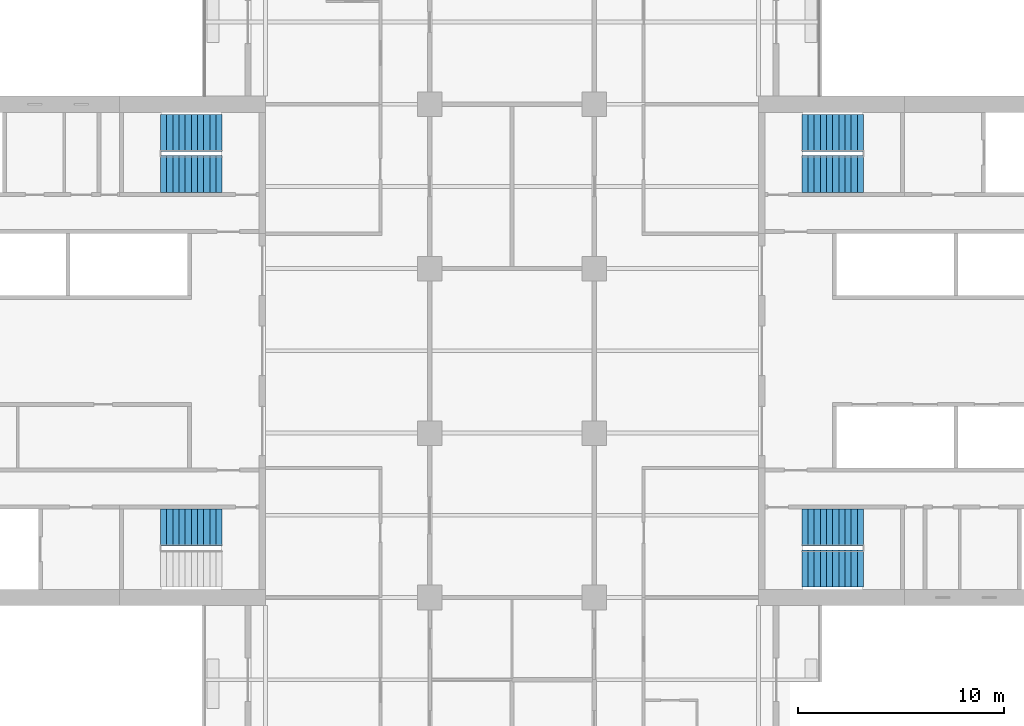
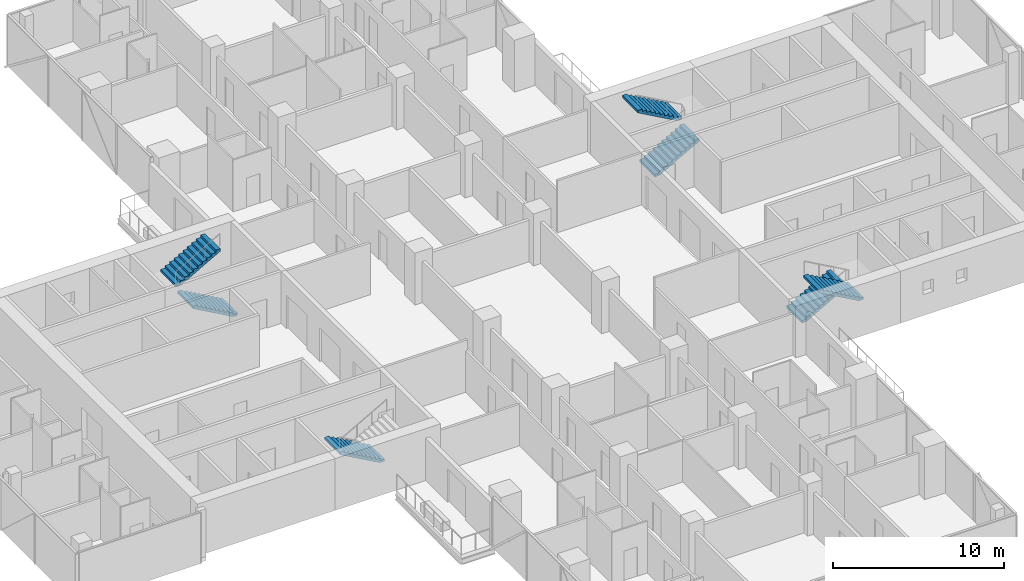
# One storey, part 22 of 27: 7 stair flights, 4 elements without a shape of their own.
"""IFC4 building model written with IfcOpenShell, lengths in metres."""

from ifc_helpers import new_model, si_unit, direction, frame, origin, place, context, subcontext, project, spatial, polyline, outline, extrude, material, type_object, element, aggregate, save


model = new_model("IFC4")

# Units and contexts
model_context = context("Model", 3, precision=1e-05, world=origin(), true_north=direction((0.0, 1.0)))
body_context = subcontext(model_context, "Body", "Model", "MODEL_VIEW")
ifc_project = project(units=[si_unit("LENGTHUNIT", "METRE"), si_unit("AREAUNIT", "SQUARE_METRE"), si_unit("VOLUMEUNIT", "CUBIC_METRE"), si_unit("PLANEANGLEUNIT", "RADIAN"), si_unit("MASSUNIT", "GRAM", prefix="KILO")], contexts=[model_context])

# Site, building, storey
site_placement = place(None, origin())
site = spatial("IfcSite", under=ifc_project, at=site_placement, CompositionType="ELEMENT")
building_placement = place(site_placement, origin())
building = spatial("IfcBuilding", under=site, at=building_placement, Name="Crosswind Convention Tower", CompositionType="ELEMENT")
storey_placement = place(building_placement, frame((0.0, 0.0, 79.39990234375)))
storey = spatial("IfcBuildingStorey", under=building, at=storey_placement, Name="L14", CompositionType="ELEMENT", Elevation=79.39990234375)

# Stair, stair flights
ifc_material = material(Name="Concrete C40/50", Category="concrete")
stair_type = type_object("IfcStairType", Name="Exit stair 1800 wide, 2 flights of 11 risers", PredefinedType="HALF_TURN_STAIR", material=ifc_material)
stair_1_placement = place(storey_placement, origin())
stair_1 = element("IfcStair", 1, at=stair_1_placement, inside=storey, type_object=stair_type, Name="Exit stair ST1 L14", ObjectType="ST5", PredefinedType="HALF_TURN_STAIR")
stair_flight_type = type_object("IfcStairFlightType", Name="Stair flight 1800 wide, 11 risers (SF3)", PredefinedType="STRAIGHT", material=ifc_material)
stair_flight_1_placement = place(storey_placement, frame((139.10009765625, 108.60009765625, 0.0), z_axis=(0.0, 0.0, 1.0), x_axis=(1.0, 0.0, 0.0)))
stair_flight_1 = element("IfcStairFlight", 2, at=stair_flight_1_placement, type_object=stair_flight_type, Name="ST1 flight 1", NumberOfRisers=11, NumberOfTreads=10, PredefinedType="STRAIGHT", RiserHeight=0.168181818, TreadLength=0.3, context=body_context, shape_type="SweptSolid", body=[
    extrude(outline(polyline([(0.0, 0.0), (0.0, 0.168212890625), (0.300048828125, 0.168212890625), (0.300048828125, 0.33642578125), (0.60009765625, 0.33642578125), (0.60009765625, 0.504638671875), (0.89990234375, 0.504638671875), (0.89990234375, 0.672607421875), (1.199951171875, 0.672607421875), (1.199951171875, 0.8408203125), (1.5, 0.8408203125), (1.5, 1.009033203125), (1.800048828125, 1.009033203125), (1.800048828125, 1.17724609375), (2.10009765625, 1.17724609375), (2.10009765625, 1.345458984375), (2.39990234375, 1.345458984375), (2.39990234375, 1.513671875), (2.699951171875, 1.513671875), (2.699951171875, 1.681884765625), (3.0, 1.681884765625), (3.0, 1.85009765625), (3.0, 1.510009765625), (0.306640625, 0.0), (0.0, 0.0)])), frame((0.0, 0.89990234375, 0.0), z_axis=(0.0, -1.0, 0.0), x_axis=(1.0, 0.0, 0.0)), (0.0, 0.0, 1.0), 1.800048828125),
])
stair_flight_2_placement = place(storey_placement, frame((142.10009765625, 110.60009765625, 1.85009765625), z_axis=(0.0, 0.0, 1.0), x_axis=(-1.0, 0.0, 0.0)))
stair_flight_2 = element("IfcStairFlight", 3, at=stair_flight_2_placement, type_object=stair_flight_type, Name="ST1 flight 2", NumberOfRisers=11, NumberOfTreads=10, PredefinedType="STRAIGHT", RiserHeight=0.168181818, TreadLength=0.3, context=body_context, shape_type="SweptSolid", body=[
    extrude(outline(polyline([(0.0, 0.0), (0.0, 0.168212890625), (0.300048828125, 0.168212890625), (0.300048828125, 0.33642578125), (0.60009765625, 0.33642578125), (0.60009765625, 0.504638671875), (0.89990234375, 0.504638671875), (0.89990234375, 0.672607421875), (1.199951171875, 0.672607421875), (1.199951171875, 0.8408203125), (1.5, 0.8408203125), (1.5, 1.009033203125), (1.800048828125, 1.009033203125), (1.800048828125, 1.17724609375), (2.10009765625, 1.17724609375), (2.10009765625, 1.345458984375), (2.39990234375, 1.345458984375), (2.39990234375, 1.513671875), (2.699951171875, 1.513671875), (2.699951171875, 1.681884765625), (3.0, 1.681884765625), (3.0, 1.85009765625), (3.0, 1.510009765625), (0.306640625, 0.0), (0.0, 0.0)])), frame((0.0, 0.89990234375, 0.0), z_axis=(0.0, -1.0, 0.0), x_axis=(1.0, 0.0, 0.0)), (0.0, 0.0, 1.0), 1.800048828125),
])
aggregate(stair_1, [stair_flight_1, stair_flight_2])

stair_2_placement = place(storey_placement, origin())
stair_2 = element("IfcStair", 4, at=stair_2_placement, inside=storey, type_object=stair_type, Name="Exit stair ST2 L14", ObjectType="ST5", PredefinedType="HALF_TURN_STAIR")
stair_flight_3_placement = place(storey_placement, frame((139.10009765625, 91.39990234375, 0.0), z_axis=(0.0, 0.0, 1.0), x_axis=(1.0, 0.0, 0.0)))
stair_flight_3 = element("IfcStairFlight", 5, at=stair_flight_3_placement, type_object=stair_flight_type, Name="ST2 flight 1", NumberOfRisers=11, NumberOfTreads=10, PredefinedType="STRAIGHT", RiserHeight=0.168181818, TreadLength=0.3, context=body_context, shape_type="SweptSolid", body=[
    extrude(outline(polyline([(0.0, 0.0), (0.0, 0.168212890625), (0.300048828125, 0.168212890625), (0.300048828125, 0.33642578125), (0.60009765625, 0.33642578125), (0.60009765625, 0.504638671875), (0.89990234375, 0.504638671875), (0.89990234375, 0.672607421875), (1.199951171875, 0.672607421875), (1.199951171875, 0.8408203125), (1.5, 0.8408203125), (1.5, 1.009033203125), (1.800048828125, 1.009033203125), (1.800048828125, 1.17724609375), (2.10009765625, 1.17724609375), (2.10009765625, 1.345458984375), (2.39990234375, 1.345458984375), (2.39990234375, 1.513671875), (2.699951171875, 1.513671875), (2.699951171875, 1.681884765625), (3.0, 1.681884765625), (3.0, 1.85009765625), (3.0, 1.510009765625), (0.306640625, 0.0), (0.0, 0.0)])), frame((0.0, 0.89990234375, 0.0), z_axis=(0.0, -1.0, 0.0), x_axis=(1.0, 0.0, 0.0)), (0.0, 0.0, 1.0), 1.800048828125),
])
stair_flight_4_placement = place(storey_placement, frame((142.10009765625, 89.39990234375, 1.85009765625), z_axis=(0.0, 0.0, 1.0), x_axis=(-1.0, 0.0, 0.0)))
stair_flight_4 = element("IfcStairFlight", 6, at=stair_flight_4_placement, type_object=stair_flight_type, Name="ST2 flight 2", NumberOfRisers=11, NumberOfTreads=10, PredefinedType="STRAIGHT", RiserHeight=0.168181818, TreadLength=0.3, context=body_context, shape_type="SweptSolid", body=[
    extrude(outline(polyline([(0.0, 0.0), (0.0, 0.168212890625), (0.300048828125, 0.168212890625), (0.300048828125, 0.33642578125), (0.60009765625, 0.33642578125), (0.60009765625, 0.504638671875), (0.89990234375, 0.504638671875), (0.89990234375, 0.672607421875), (1.199951171875, 0.672607421875), (1.199951171875, 0.8408203125), (1.5, 0.8408203125), (1.5, 1.009033203125), (1.800048828125, 1.009033203125), (1.800048828125, 1.17724609375), (2.10009765625, 1.17724609375), (2.10009765625, 1.345458984375), (2.39990234375, 1.345458984375), (2.39990234375, 1.513671875), (2.699951171875, 1.513671875), (2.699951171875, 1.681884765625), (3.0, 1.681884765625), (3.0, 1.85009765625), (3.0, 1.510009765625), (0.306640625, 0.0), (0.0, 0.0)])), frame((0.0, 0.89990234375, 0.0), z_axis=(0.0, -1.0, 0.0), x_axis=(1.0, 0.0, 0.0)), (0.0, 0.0, 1.0), 1.800048828125),
])
aggregate(stair_2, [stair_flight_3, stair_flight_4])

# Stair, stair flight
stair_3_placement = place(storey_placement, origin())
stair_3 = element("IfcStair", 7, at=stair_3_placement, inside=storey, type_object=stair_type, Name="Exit stair ST3 L14", ObjectType="ST5", PredefinedType="HALF_TURN_STAIR")
stair_flight_5_placement = place(storey_placement, frame((110.89990234375, 91.39990234375, 0.0), z_axis=(0.0, 0.0, 1.0), x_axis=(-1.0, 0.0, 0.0)))
stair_flight_5 = element("IfcStairFlight", 8, at=stair_flight_5_placement, type_object=stair_flight_type, Name="ST3 flight 1", NumberOfRisers=11, NumberOfTreads=10, PredefinedType="STRAIGHT", RiserHeight=0.168181818, TreadLength=0.3, context=body_context, shape_type="SweptSolid", body=[
    extrude(outline(polyline([(0.0, 0.0), (0.0, 0.168212890625), (0.300048828125, 0.168212890625), (0.300048828125, 0.33642578125), (0.60009765625, 0.33642578125), (0.60009765625, 0.504638671875), (0.89990234375, 0.504638671875), (0.89990234375, 0.672607421875), (1.199951171875, 0.672607421875), (1.199951171875, 0.8408203125), (1.5, 0.8408203125), (1.5, 1.009033203125), (1.800048828125, 1.009033203125), (1.800048828125, 1.17724609375), (2.10009765625, 1.17724609375), (2.10009765625, 1.345458984375), (2.39990234375, 1.345458984375), (2.39990234375, 1.513671875), (2.699951171875, 1.513671875), (2.699951171875, 1.681884765625), (3.0, 1.681884765625), (3.0, 1.85009765625), (3.0, 1.510009765625), (0.306640625, 0.0), (0.0, 0.0)])), frame((0.0, 0.89990234375, 0.0), z_axis=(0.0, -1.0, 0.0), x_axis=(1.0, 0.0, 0.0)), (0.0, 0.0, 1.0), 1.800048828125),
])
aggregate(stair_3, [stair_flight_5])

# Stair, stair flights
stair_4_placement = place(storey_placement, origin())
stair_4 = element("IfcStair", 9, at=stair_4_placement, inside=storey, type_object=stair_type, Name="Exit stair ST4 L14", ObjectType="ST5", PredefinedType="HALF_TURN_STAIR")
stair_flight_6_placement = place(storey_placement, frame((110.89990234375, 108.60009765625, 0.0), z_axis=(0.0, 0.0, 1.0), x_axis=(-1.0, 0.0, 0.0)))
stair_flight_6 = element("IfcStairFlight", 10, at=stair_flight_6_placement, type_object=stair_flight_type, Name="ST4 flight 1", NumberOfRisers=11, NumberOfTreads=10, PredefinedType="STRAIGHT", RiserHeight=0.168181818, TreadLength=0.3, context=body_context, shape_type="SweptSolid", body=[
    extrude(outline(polyline([(0.0, 0.0), (0.0, 0.168212890625), (0.300048828125, 0.168212890625), (0.300048828125, 0.33642578125), (0.60009765625, 0.33642578125), (0.60009765625, 0.504638671875), (0.89990234375, 0.504638671875), (0.89990234375, 0.672607421875), (1.199951171875, 0.672607421875), (1.199951171875, 0.8408203125), (1.5, 0.8408203125), (1.5, 1.009033203125), (1.800048828125, 1.009033203125), (1.800048828125, 1.17724609375), (2.10009765625, 1.17724609375), (2.10009765625, 1.345458984375), (2.39990234375, 1.345458984375), (2.39990234375, 1.513671875), (2.699951171875, 1.513671875), (2.699951171875, 1.681884765625), (3.0, 1.681884765625), (3.0, 1.85009765625), (3.0, 1.510009765625), (0.306640625, 0.0), (0.0, 0.0)])), frame((0.0, 0.89990234375, 0.0), z_axis=(0.0, -1.0, 0.0), x_axis=(1.0, 0.0, 0.0)), (0.0, 0.0, 1.0), 1.800048828125),
])
stair_flight_7_placement = place(storey_placement, frame((107.89990234375, 110.60009765625, 1.85009765625), z_axis=(0.0, 0.0, 1.0), x_axis=(1.0, 0.0, 0.0)))
stair_flight_7 = element("IfcStairFlight", 11, at=stair_flight_7_placement, type_object=stair_flight_type, Name="ST4 flight 2", NumberOfRisers=11, NumberOfTreads=10, PredefinedType="STRAIGHT", RiserHeight=0.168181818, TreadLength=0.3, context=body_context, shape_type="SweptSolid", body=[
    extrude(outline(polyline([(0.0, 0.0), (0.0, 0.168212890625), (0.300048828125, 0.168212890625), (0.300048828125, 0.33642578125), (0.60009765625, 0.33642578125), (0.60009765625, 0.504638671875), (0.89990234375, 0.504638671875), (0.89990234375, 0.672607421875), (1.199951171875, 0.672607421875), (1.199951171875, 0.8408203125), (1.5, 0.8408203125), (1.5, 1.009033203125), (1.800048828125, 1.009033203125), (1.800048828125, 1.17724609375), (2.10009765625, 1.17724609375), (2.10009765625, 1.345458984375), (2.39990234375, 1.345458984375), (2.39990234375, 1.513671875), (2.699951171875, 1.513671875), (2.699951171875, 1.681884765625), (3.0, 1.681884765625), (3.0, 1.85009765625), (3.0, 1.510009765625), (0.306640625, 0.0), (0.0, 0.0)])), frame((0.0, 0.89990234375, 0.0), z_axis=(0.0, -1.0, 0.0), x_axis=(1.0, 0.0, 0.0)), (0.0, 0.0, 1.0), 1.800048828125),
])
aggregate(stair_4, [stair_flight_6, stair_flight_7])

save(model, "model.ifc")
